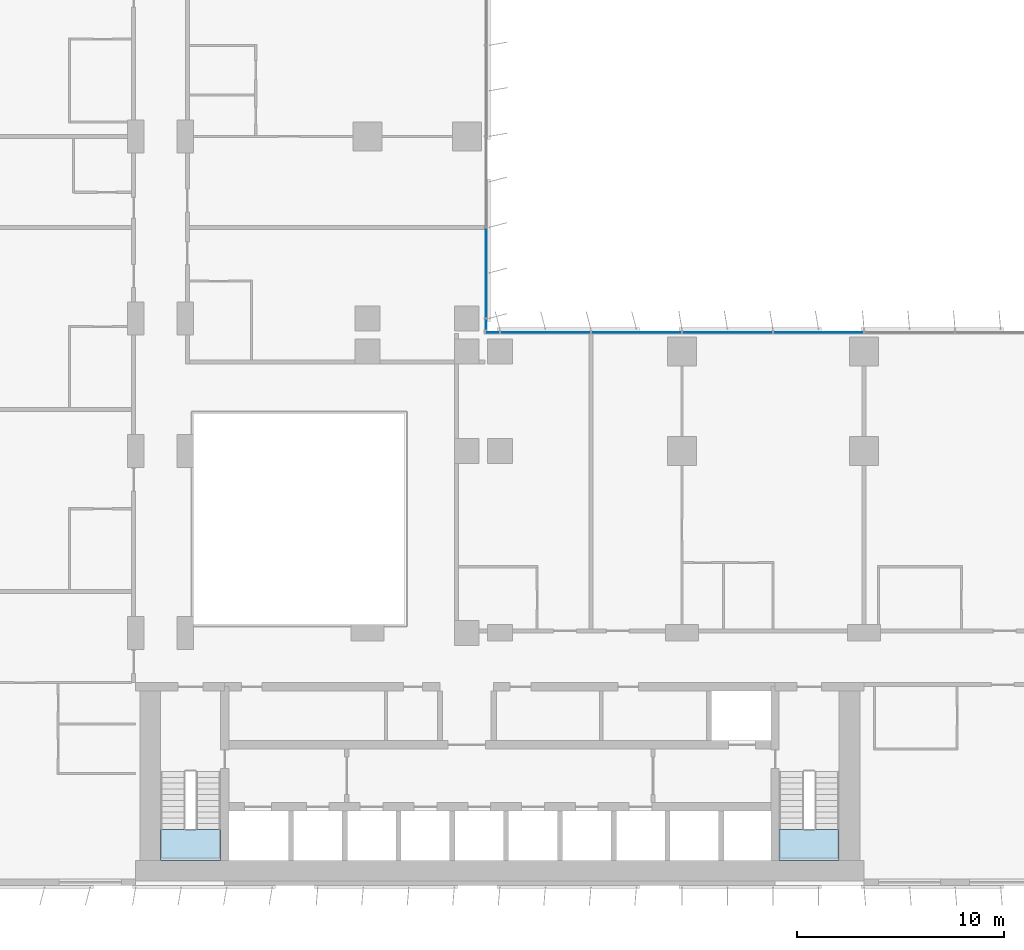
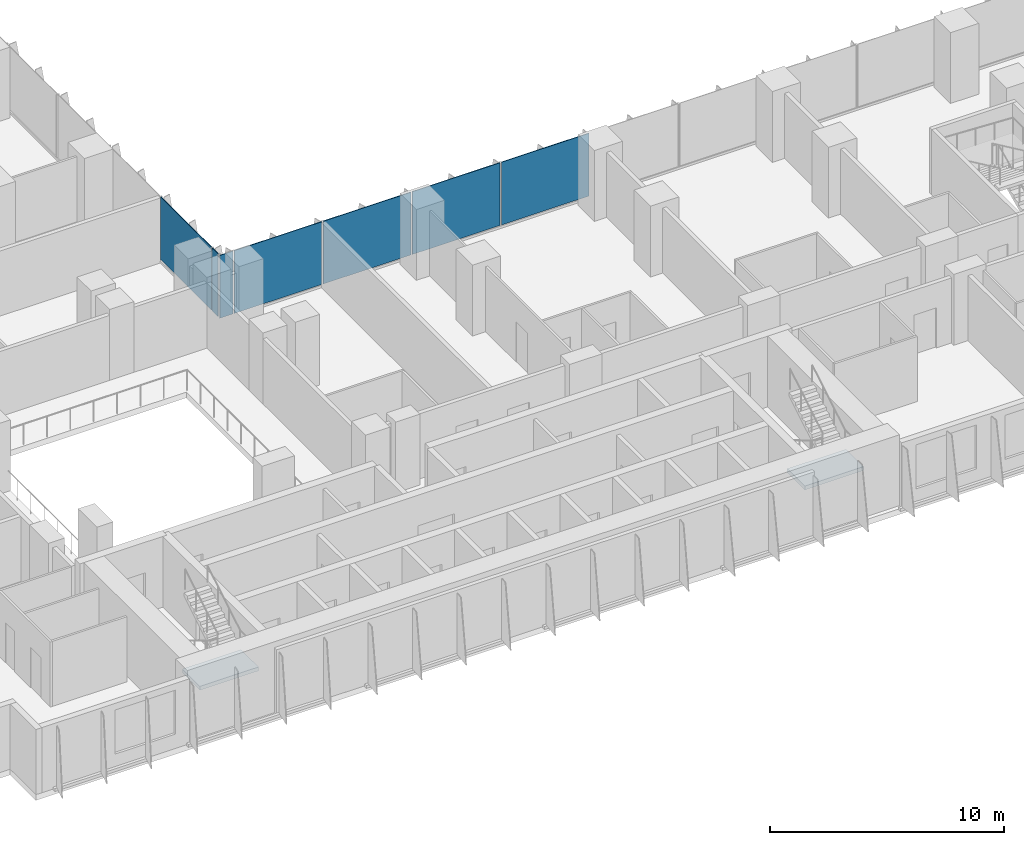
# One storey, part 10 of 24: 7 plates, 2 slabs, 4 elements without a shape of their own.
"""IFC4 building model written with IfcOpenShell, lengths in metres."""

from ifc_helpers import new_model, si_unit, direction, frame, origin, origin_2d, place, context, subcontext, project, spatial, polyline, rectangle, outline, extrude, source, transform, mapped, material, layer, layer_set, type_object, element, aggregate, save


model = new_model("IFC4")

# Units and contexts
model_context = context("Model", 3, precision=1e-05, world=origin(), true_north=direction((0.0, 1.0)))
body_context = subcontext(model_context, "Body", "Model", "MODEL_VIEW")
ifc_project = project(units=[si_unit("LENGTHUNIT", "METRE"), si_unit("AREAUNIT", "SQUARE_METRE"), si_unit("VOLUMEUNIT", "CUBIC_METRE"), si_unit("PLANEANGLEUNIT", "RADIAN"), si_unit("MASSUNIT", "GRAM", prefix="KILO")], contexts=[model_context])

# Site, building, storey
site_placement = place(None, origin())
site = spatial("IfcSite", under=ifc_project, at=site_placement, CompositionType="ELEMENT")
building_placement = place(site_placement, origin())
building = spatial("IfcBuilding", under=site, at=building_placement, Name="Kemantara Hotel Tower", CompositionType="ELEMENT")
storey_placement = place(building_placement, frame((0.0, 0.0, 41.39990234375)))
storey = spatial("IfcBuildingStorey", under=building, at=storey_placement, Name="L08", CompositionType="ELEMENT", Elevation=41.39990234375)

# Stair, slab
ifc_material_1 = material(Name="Concrete fc 40 MPa", Category="concrete")
stair_type = type_object("IfcStairType", Name="Stair 1200 wide 22 risers of 168 x 280 mm", PredefinedType="HALF_TURN_STAIR", material=ifc_material_1)
stair_1_placement = place(storey_placement, origin())
stair_1 = element("IfcStair", 1, at=stair_1_placement, inside=storey, type_object=stair_type, Name="L08 Exit stair ST1", PredefinedType="HALF_TURN_STAIR")
ifc_layer_1 = layer(ifc_material_1, 0.199951171875)
ifc_layer_set_1 = layer_set([ifc_layer_1], Name="Concrete fc 40 MPa")
slab_type = type_object("IfcSlabType", Name="Stair landing 200 mm", PredefinedType="LANDING", material=ifc_layer_set_1)
slab_1_placement = place(storey_placement, frame((0.0, 0.0, 1.650146484375)))
slab_1 = element("IfcSlab", 2, at=slab_1_placement, type_object=slab_type, Name="ST1 landing 1", PredefinedType="LANDING", context=body_context, shape_type="SweptSolid", body=[
    extrude(outline(polyline([(11.0, 2.699951171875), (11.0, 1.199951171875), (13.89990234375, 1.199951171875), (13.89990234375, 2.699951171875), (11.0, 2.699951171875)])), origin(), (0.0, 0.0, 1.0), 0.199951171875),
])
aggregate(stair_1, [slab_1])

stair_2_placement = place(storey_placement, origin())
stair_2 = element("IfcStair", 3, at=stair_2_placement, inside=storey, type_object=stair_type, Name="L08 Exit stair ST2", PredefinedType="HALF_TURN_STAIR")
slab_2_placement = place(storey_placement, frame((0.0, 0.0, 1.650146484375)))
slab_2 = element("IfcSlab", 4, at=slab_2_placement, type_object=slab_type, Name="ST2 landing 1", PredefinedType="LANDING", context=body_context, shape_type="SweptSolid", body=[
    extrude(outline(polyline([(40.89990234375, 2.699951171875), (40.89990234375, 1.199951171875), (43.800048828125, 1.199951171875), (43.800048828125, 2.699951171875), (40.89990234375, 2.699951171875)])), origin(), (0.0, 0.0, 1.0), 0.199951171875),
])
aggregate(stair_2, [slab_2])

# Curtain wall, plates
ifc_material_2 = material(Name="Low-E tinted double insulated glass 36 mm", Category="glass")
curtain_wall_type = type_object("IfcCurtainWallType", Name="TOWER CURTAIN WALL, FRONT FACES", PredefinedType="USERDEFINED", material=ifc_material_2)
curtain_wall_1_placement = place(storey_placement, origin())
curtain_wall_1 = element("IfcCurtainWall", 5, at=curtain_wall_1_placement, inside=storey, type_object=curtain_wall_type, Name="CW4 L08 T1-R07-1", ObjectType="TOWER CURTAIN WALL, FRONT FACES", PredefinedType="USERDEFINED")
ifc_layer_2 = layer(ifc_material_2, 0.035888671875)
ifc_layer_set_2 = layer_set([ifc_layer_2], Name="Low-E tinted double insulated glass 36 mm")
plate_type = type_object("IfcPlateType", Name="TOWER CURTAIN WALL, FRONT FACES PANEL", PredefinedType="CURTAIN_PANEL", material=ifc_layer_set_2)
shared_shape_1 = source(origin(), body_context, "Body", "SweptSolid", [
    extrude(rectangle(XDim=4.340087890625, YDim=0.035888671875, at=origin_2d()), origin(), (0.0, 0.0, 1.0), 3.280029296875),
])
plate_1_placement = place(storey_placement, frame((42.800048828125, 26.72509765625, 0.1201171875), z_axis=(0.0, 0.0, 1.0), x_axis=(-1.0, 0.0, 0.0)))
plate_1 = element("IfcPlate", 6, at=plate_1_placement, type_object=plate_type, Name="CW4 glass panel T1-R07-1.9", PredefinedType="CURTAIN_PANEL", context=body_context, shape_type="MappedRepresentation", body=[
    mapped(shared_shape_1, transform((0.0, 0.0, 0.0))),
])
plate_2_placement = place(storey_placement, frame((38.39990234375, 26.72509765625, 0.1201171875), z_axis=(0.0, 0.0, 1.0), x_axis=(-1.0, 0.0, 0.0)))
plate_2 = element("IfcPlate", 7, at=plate_2_placement, type_object=plate_type, Name="CW4 glass panel T1-R07-1.10", PredefinedType="CURTAIN_PANEL", context=body_context, shape_type="MappedRepresentation", body=[
    mapped(shared_shape_1, transform((0.0, 0.0, 0.0))),
])
plate_3_placement = place(storey_placement, frame((34.0, 26.72509765625, 0.1201171875), z_axis=(0.0, 0.0, 1.0), x_axis=(-1.0, 0.0, 0.0)))
plate_3 = element("IfcPlate", 8, at=plate_3_placement, type_object=plate_type, Name="CW4 glass panel T1-R07-1.11", PredefinedType="CURTAIN_PANEL", context=body_context, shape_type="MappedRepresentation", body=[
    mapped(shared_shape_1, transform((0.0, 0.0, 0.0))),
])
plate_4_placement = place(storey_placement, frame((29.60009765625, 26.72509765625, 0.1201171875), z_axis=(0.0, 0.0, 1.0), x_axis=(-1.0, 0.0, 0.0)))
plate_4 = element("IfcPlate", 9, at=plate_4_placement, type_object=plate_type, Name="CW4 glass panel T1-R07-1.12", PredefinedType="CURTAIN_PANEL", context=body_context, shape_type="MappedRepresentation", body=[
    mapped(shared_shape_1, transform((0.0, 0.0, 0.0))),
])

# Curtain wall, plate
curtain_wall_2_placement = place(storey_placement, origin())
curtain_wall_2 = element("IfcCurtainWall", 10, at=curtain_wall_2_placement, inside=storey, type_object=curtain_wall_type, Name="CW4 L08 T1-R08-1", ObjectType="TOWER CURTAIN WALL, FRONT FACES", PredefinedType="USERDEFINED")
plate_5_placement = place(storey_placement, frame((26.72509765625, 29.60009765625, 0.1201171875), z_axis=(0.0, 0.0, 1.0), x_axis=(0.0, 1.0, 0.0)))
plate_5 = element("IfcPlate", 11, at=plate_5_placement, type_object=plate_type, Name="CW4 glass panel T1-R08-1.2", PredefinedType="CURTAIN_PANEL", context=body_context, shape_type="MappedRepresentation", body=[
    mapped(shared_shape_1, transform((0.0, 0.0, 0.0))),
])

# Plate
shared_shape_2 = source(origin(), body_context, "Body", "SweptSolid", [
    extrude(rectangle(XDim=0.659912109375, YDim=0.035888671875, at=origin_2d()), origin(), (0.0, 0.0, 1.0), 3.280029296875),
])
plate_6_placement = place(storey_placement, frame((27.0400390625, 26.72509765625, 0.1201171875), z_axis=(0.0, 0.0, 1.0), x_axis=(-1.0, 0.0, 0.0)))
plate_6 = element("IfcPlate", 12, at=plate_6_placement, type_object=plate_type, Name="CW4 glass panel T1-R07-1.13", PredefinedType="CURTAIN_PANEL", context=body_context, shape_type="MappedRepresentation", body=[
    mapped(shared_shape_2, transform((0.0, 0.0, 0.0))),
])

aggregate(curtain_wall_1, [plate_1, plate_2, plate_3, plate_4, plate_6])

shared_shape_3 = source(origin(), body_context, "Body", "SweptSolid", [
    extrude(rectangle(XDim=0.510009765625, YDim=0.035888671875, at=origin_2d()), origin(), (0.0, 0.0, 1.0), 3.280029296875),
])
plate_7_placement = place(storey_placement, frame((26.72509765625, 27.114990234375, 0.1201171875), z_axis=(0.0, 0.0, 1.0), x_axis=(0.0, 1.0, 0.0)))
plate_7 = element("IfcPlate", 13, at=plate_7_placement, type_object=plate_type, Name="CW4 glass panel T1-R08-1.1", PredefinedType="CURTAIN_PANEL", context=body_context, shape_type="MappedRepresentation", body=[
    mapped(shared_shape_3, transform((0.0, 0.0, 0.0))),
])

aggregate(curtain_wall_2, [plate_7, plate_5])

save(model, "model.ifc")
